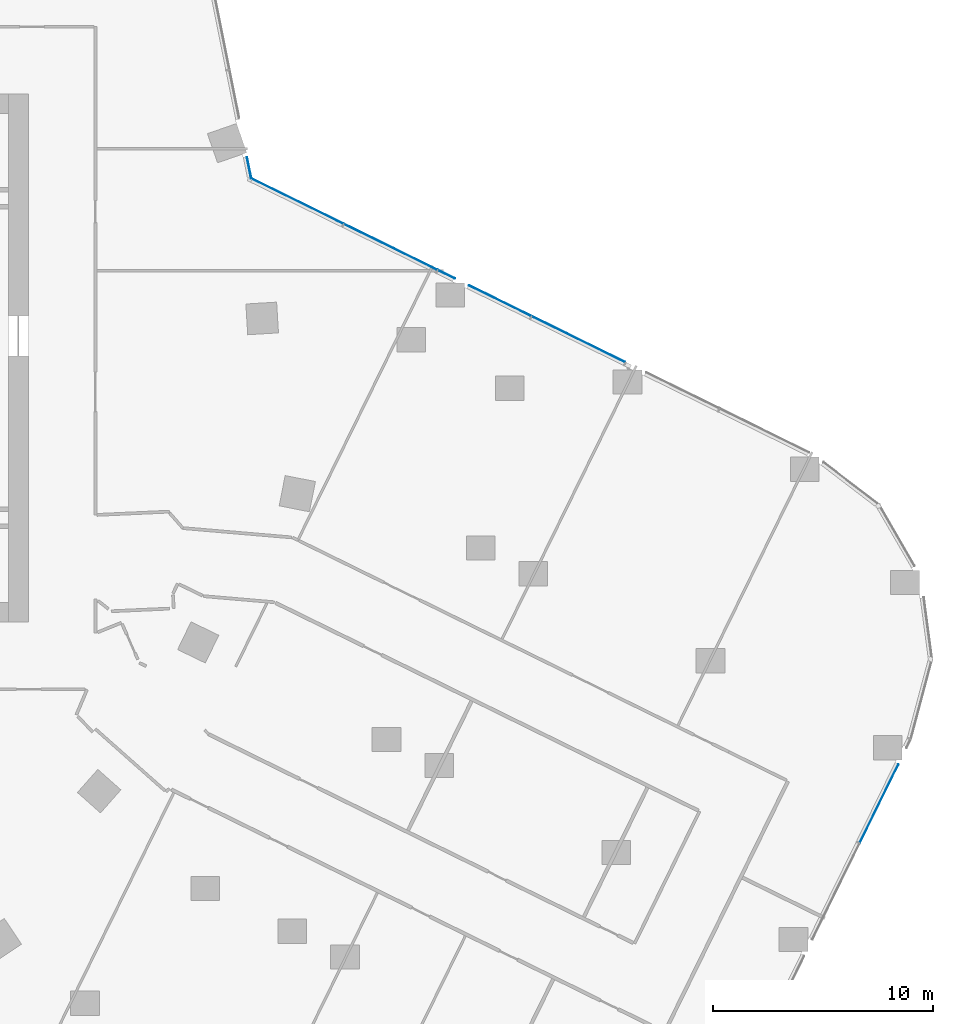
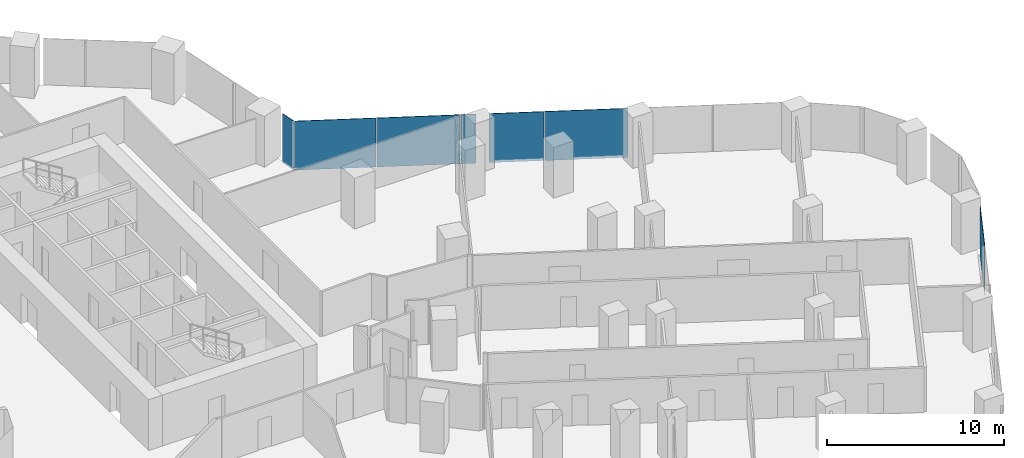
# One storey, part 22 of 38: 7 plates, 3 elements without a shape of their own.
"""IFC4 building model written with IfcOpenShell, lengths in metres."""

from ifc_helpers import new_model, si_unit, direction, frame, origin, origin_2d, place, context, subcontext, project, spatial, rectangle, extrude, material, layer, layer_set, type_object, element, aggregate, save


model = new_model("IFC4")

# Units and contexts
model_context = context("Model", 3, precision=1e-05, world=origin(), true_north=direction((0.0, 1.0)))
body_context = subcontext(model_context, "Body", "Model", "MODEL_VIEW")
ifc_project = project(units=[si_unit("LENGTHUNIT", "METRE"), si_unit("AREAUNIT", "SQUARE_METRE"), si_unit("VOLUMEUNIT", "CUBIC_METRE"), si_unit("PLANEANGLEUNIT", "RADIAN"), si_unit("MASSUNIT", "GRAM", prefix="KILO")], contexts=[model_context])

# Site, building, storey
site_placement = place(None, origin())
site = spatial("IfcSite", under=ifc_project, at=site_placement, CompositionType="ELEMENT")
building_placement = place(site_placement, origin())
building = spatial("IfcBuilding", under=site, at=building_placement, Name="Orlundy Tower", CompositionType="ELEMENT")
storey_placement = place(building_placement, frame((0.0, 0.0, 65.800048828125)))
storey = spatial("IfcBuildingStorey", under=building, at=storey_placement, Name="L15", CompositionType="ELEMENT", Elevation=65.800048828125)

# Curtain wall, plate
ifc_material_1 = material(Name="Aluminium bronze anodised", Category="aluminium")
curtain_wall_type = type_object("IfcCurtainWallType", Name="CW1 wall", PredefinedType="NOTDEFINED", material=ifc_material_1)
curtain_wall_1_placement = place(storey_placement, origin())
curtain_wall_1 = element("IfcCurtainWall", 1, at=curtain_wall_1_placement, inside=storey, type_object=curtain_wall_type, Name="CW1 run 017", PredefinedType="NOTDEFINED")
ifc_material_2 = material(Name="Tinted glass", Category="glass")
ifc_layer = layer(ifc_material_2, 0.031982421875)
ifc_layer_set = layer_set([ifc_layer], Name="CW1 glass panel 32")
plate_type = type_object("IfcPlateType", Name="CW1 glass panel 32", PredefinedType="CURTAIN_PANEL", material=ifc_layer_set)
plate_1_placement = place(storey_placement, frame((29.032958984375, 8.63720703125, -0.280029296875), z_axis=(0.0, 0.0, 1.0), x_axis=(0.196529373401, -0.980497937474, 0.0)))
plate_1 = element("IfcPlate", 2, at=plate_1_placement, type_object=plate_type, Name="CW1 panel", PredefinedType="CURTAIN_PANEL", context=body_context, shape_type="SweptSolid", body=[
    extrude(rectangle(XDim=0.986572265625, YDim=0.031982421875, at=origin_2d()), origin(), (0.0, 0.0, 1.0), 3.3798828125),
])
aggregate(curtain_wall_1, [plate_1])

# Curtain wall, plates
curtain_wall_2_placement = place(storey_placement, origin())
curtain_wall_2 = element("IfcCurtainWall", 3, at=curtain_wall_2_placement, inside=storey, type_object=curtain_wall_type, Name="CW1 run 018", PredefinedType="NOTDEFINED")
plate_2_placement = place(storey_placement, frame((31.21630859375, 7.12841796875, -0.280029296875), z_axis=(0.0, 0.0, 1.0), x_axis=(0.897517823728, -0.440978180969, 0.0)))
plate_2 = element("IfcPlate", 4, at=plate_2_placement, type_object=plate_type, Name="CW1 panel", PredefinedType="CURTAIN_PANEL", context=body_context, shape_type="SweptSolid", body=[
    extrude(rectangle(XDim=4.6494140625, YDim=0.031982421875, at=origin_2d()), origin(), (0.0, 0.0, 1.0), 3.3798828125),
])
plate_3_placement = place(storey_placement, frame((35.459228515625, 5.043701171875, -0.280029296875), z_axis=(0.0, 0.0, 1.0), x_axis=(0.897517823728, -0.440978180969, 0.0)))
plate_3 = element("IfcPlate", 5, at=plate_3_placement, type_object=plate_type, Name="CW1 panel", PredefinedType="CURTAIN_PANEL", context=body_context, shape_type="SweptSolid", body=[
    extrude(rectangle(XDim=4.705322265625, YDim=0.031982421875, at=origin_2d()), origin(), (0.0, 0.0, 1.0), 3.3798828125),
])
plate_4_placement = place(storey_placement, frame((37.99755859375, 3.796630859375, -0.280029296875), z_axis=(0.0, 0.0, 1.0), x_axis=(0.897517823728, -0.440978180969, 0.0)))
plate_4 = element("IfcPlate", 6, at=plate_4_placement, type_object=plate_type, Name="CW1 panel", PredefinedType="CURTAIN_PANEL", context=body_context, shape_type="SweptSolid", body=[
    extrude(rectangle(XDim=0.850830078125, YDim=0.031982421875, at=origin_2d()), origin(), (0.0, 0.0, 1.0), 3.3798828125),
])
plate_5_placement = place(storey_placement, frame((40.430908203125, 2.60107421875, -0.280029296875), z_axis=(0.0, 0.0, 1.0), x_axis=(0.897517823728, -0.440978180969, 0.0)))
plate_5 = element("IfcPlate", 7, at=plate_5_placement, type_object=plate_type, Name="CW1 panel", PredefinedType="CURTAIN_PANEL", context=body_context, shape_type="SweptSolid", body=[
    extrude(rectangle(XDim=3.137451171875, YDim=0.031982421875, at=origin_2d()), origin(), (0.0, 0.0, 1.0), 3.3798828125),
])
plate_6_placement = place(storey_placement, frame((43.995361328125, 0.849609375, -0.280029296875), z_axis=(0.0, 0.0, 1.0), x_axis=(0.897517823728, -0.440978180969, 0.0)))
plate_6 = element("IfcPlate", 8, at=plate_6_placement, type_object=plate_type, Name="CW1 panel", PredefinedType="CURTAIN_PANEL", context=body_context, shape_type="SweptSolid", body=[
    extrude(rectangle(XDim=4.705322265625, YDim=0.031982421875, at=origin_2d()), origin(), (0.0, 0.0, 1.0), 3.3798828125),
])
aggregate(curtain_wall_2, [plate_2, plate_3, plate_4, plate_5, plate_6])

# Curtain wall, plate
curtain_wall_3_placement = place(storey_placement, origin())
curtain_wall_3 = element("IfcCurtainWall", 9, at=curtain_wall_3_placement, inside=storey, type_object=curtain_wall_type, Name="CW1 run 023", PredefinedType="NOTDEFINED")
plate_7_placement = place(storey_placement, frame((57.647216796875, -20.23828125, -0.280029296875), z_axis=(0.0, 0.0, 1.0), x_axis=(-0.441012235503, -0.897501090883, 0.0)))
plate_7 = element("IfcPlate", 10, at=plate_7_placement, type_object=plate_type, Name="CW1 panel", PredefinedType="CURTAIN_PANEL", context=body_context, shape_type="SweptSolid", body=[
    extrude(rectangle(XDim=3.965087890625, YDim=0.031982421875, at=origin_2d()), origin(), (0.0, 0.0, 1.0), 3.3798828125),
])
aggregate(curtain_wall_3, [plate_7])

save(model, "model.ifc")
